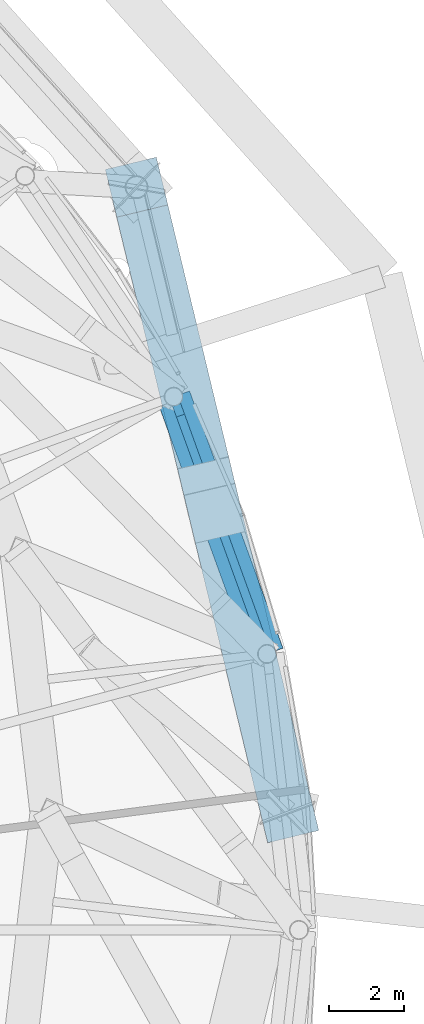
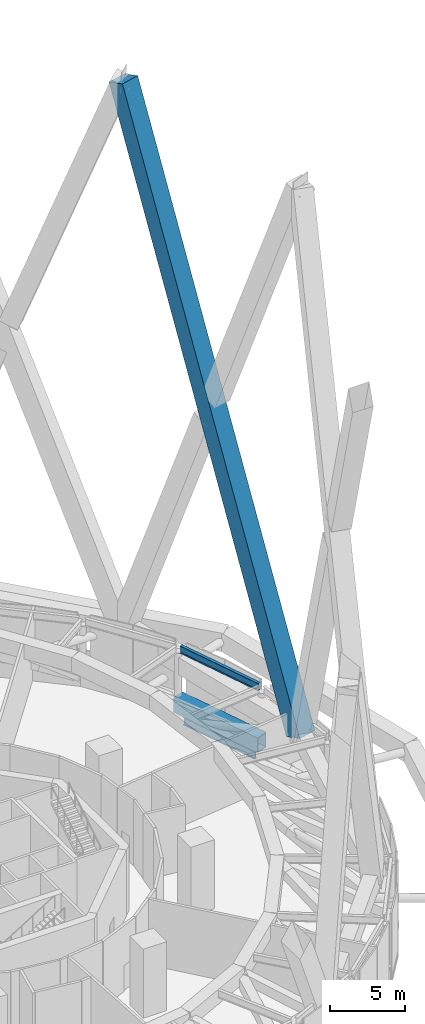
# One storey, part 39 of 60: 3 beams, 1 member.
"""IFC4 building model written with IfcOpenShell, lengths in metres."""

from ifc_helpers import new_model, si_unit, direction, frame, origin, origin_2d, place, context, subcontext, project, spatial, rectangle, hollow_rectangle, i_section, extrude, material, material_profile, profile_set, type_object, element, save


model = new_model("IFC4")

# Units and contexts
model_context = context("Model", 3, precision=1e-05, world=origin(), true_north=direction((0.0, 1.0)))
body_context = subcontext(model_context, "Body", "Model", "MODEL_VIEW")
ifc_project = project(units=[si_unit("LENGTHUNIT", "METRE"), si_unit("AREAUNIT", "SQUARE_METRE"), si_unit("VOLUMEUNIT", "CUBIC_METRE"), si_unit("PLANEANGLEUNIT", "RADIAN"), si_unit("MASSUNIT", "GRAM", prefix="KILO")], contexts=[model_context])

# Site, building, storey
site_placement = place(None, origin())
site = spatial("IfcSite", under=ifc_project, at=site_placement, CompositionType="ELEMENT")
building_placement = place(site_placement, origin())
building = spatial("IfcBuilding", under=site, at=building_placement, Name="Nagisa Residences", CompositionType="ELEMENT")
storey_placement = place(building_placement, frame((0.0, 0.0, 206.60009765625)))
storey = spatial("IfcBuildingStorey", under=building, at=storey_placement, Name="L52", CompositionType="ELEMENT", Elevation=206.60009765625)

# Beam
ifc_material_1 = material(Name="Steel ASTM A572 Gr 50", Category="steel")
ifc_material_profile_1 = material_profile(ifc_material_1, hollow_rectangle(XDim=0.89990234375, YDim=1.199951171875, WallThickness=0.044921875, at=origin_2d()), Name="BX 900x1200x45")
ifc_profile_set_1 = profile_set([ifc_material_profile_1], Name="Steel ASTM A572 Gr 50")
beam_type_1 = type_object("IfcBeamType", Name="Belt chord 4 BX 900x1200x45", PredefinedType="BEAM", material=ifc_profile_set_1)
beam_1_placement = place(storey_placement, frame((27.62744140625, 7.343994140625, 0.599853515625), z_axis=(-0.341325710829, 0.939945083038, 0.0), x_axis=(-0.939945083038, -0.341325710829, 0.0)))
element("IfcBeam", 1, at=beam_1_placement, inside=storey, type_object=beam_type_1, Name="beam:L52:bt4b02", PredefinedType="BEAM", context=body_context, shape_type="SweptSolid", body=[
    extrude(hollow_rectangle(XDim=0.89990234375, YDim=1.199951171875, WallThickness=0.044921875, at=origin_2d()), origin(), (0.0, 0.0, 1.0), 7.28076171875),
])

# Member
ifc_material_2 = material(Name="Concrete C80", Category="concrete")
ifc_material_profile_2 = material_profile(ifc_material_2, rectangle(XDim=1.39990234375, YDim=1.39990234375, at=origin_2d()), Name="C80 1400x1400")
ifc_profile_set_2 = profile_set([ifc_material_profile_2], Name="Concrete C80")
member_type = type_object("IfcMemberType", Name="Cage diagonal 5 C80 1400x1400", PredefinedType="BRACE", material=ifc_profile_set_2)
member_placement = place(storey_placement, frame((28.169921875, 3.11767578125, 3.699951171875), z_axis=(-0.084209237685, 0.349095063048, 0.933296009444), x_axis=(-0.972117187205, -0.234495574244, 0.0)))
element("IfcMember", 2, at=member_placement, inside=storey, type_object=member_type, Name="mem:L52:cg5d001", PredefinedType="BRACE", context=body_context, shape_type="SweptSolid", body=[
    extrude(rectangle(XDim=1.39990234375, YDim=1.39990234375, at=origin_2d()), origin(), (0.0, 0.0, 1.0), 47.680419921875),
])

# Beams
ifc_material_3 = material(Name="Steel ASTM A572 Gr 50", Category="steel")
ifc_material_profile_3 = material_profile(ifc_material_3, i_section(OverallWidth=0.22802734375, OverallDepth=0.60302734375, WebThickness=0.010498046875, FlangeThickness=0.014892578125, at=origin_2d()), Name="W610x101")
ifc_profile_set_3 = profile_set([ifc_material_profile_3], Name="Steel ASTM A572 Gr 50")
beam_type_2 = type_object("IfcBeamType", Name="Garden edge beam W610x101", PredefinedType="BEAM", material=ifc_profile_set_3)
beam_2_placement = place(storey_placement, frame((27.547607421875, 7.56396484375, 5.038330078125), z_axis=(-0.341337326552, 0.939940864896, 0.0), x_axis=(-0.939940864896, -0.341337326552, 0.0)))
element("IfcBeam", 3, at=beam_2_placement, inside=storey, type_object=beam_type_2, Name="beam:L52:bt4ge02", PredefinedType="BEAM", context=body_context, shape_type="SweptSolid", body=[
    extrude(i_section(OverallWidth=0.22802734375, OverallDepth=0.60302734375, WebThickness=0.010498046875, FlangeThickness=0.014892578125, at=origin_2d()), origin(), (0.0, 0.0, 1.0), 6.812744140625),
])
ifc_material_4 = material(Name="Steel ASTM A572 Gr 50", Category="steel")
ifc_material_profile_4 = material_profile(ifc_material_4, i_section(OverallWidth=0.22802734375, OverallDepth=0.60302734375, WebThickness=0.010498046875, FlangeThickness=0.014892578125, at=origin_2d()), Name="W610x101")
ifc_profile_set_4 = profile_set([ifc_material_profile_4], Name="Steel ASTM A572 Gr 50")
beam_type_3 = type_object("IfcBeamType", Name="Perimeter ring beam W610x101", PredefinedType="BEAM", material=ifc_profile_set_4)
beam_3_placement = place(storey_placement, frame((27.4453125, 7.845703125, -0.651611328125), z_axis=(-0.341320243926, 0.939947068237, 0.0), x_axis=(-0.939947068237, -0.341320243926, 0.0)))
element("IfcBeam", 4, at=beam_3_placement, inside=storey, type_object=beam_type_3, Name="beam:L52:pb02", PredefinedType="BEAM", context=body_context, shape_type="SweptSolid", body=[
    extrude(i_section(OverallWidth=0.22802734375, OverallDepth=0.60302734375, WebThickness=0.010498046875, FlangeThickness=0.014892578125, at=origin_2d()), origin(), (0.0, 0.0, 1.0), 6.212890625),
])

save(model, "model.ifc")
